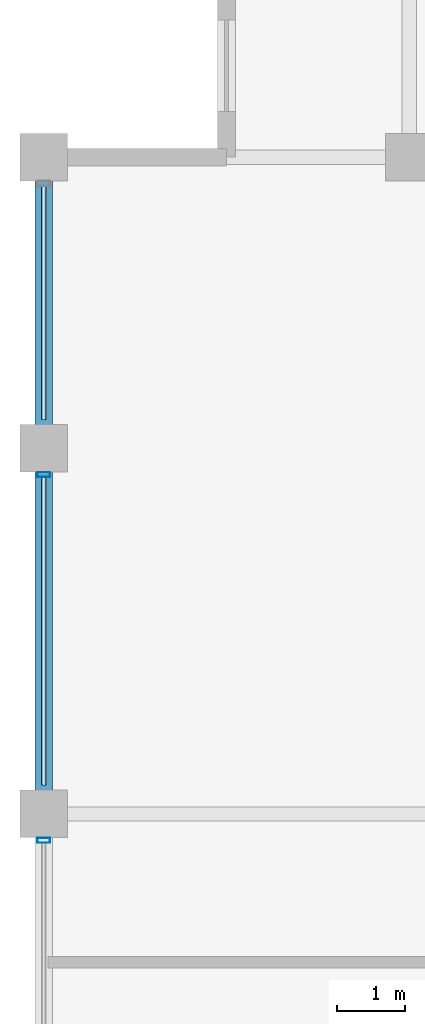
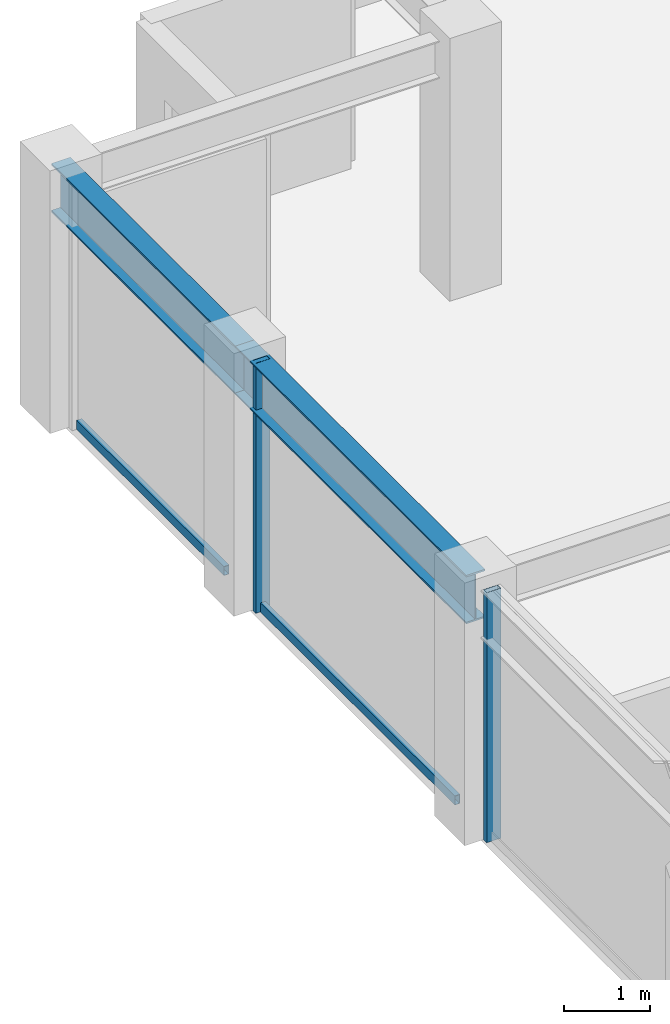
# One storey, part 14 of 30: 4 members, 2 beams, 1 element without a shape of its own.
"""IFC4 building model written with IfcOpenShell, lengths in metres."""

from ifc_helpers import new_model, si_unit, direction, frame, origin, origin_2d, place, context, subcontext, project, spatial, hollow_rectangle, i_section, extrude, material, layer, layer_set, material_profile, profile_set, type_object, element, aggregate, save


model = new_model("IFC4")

# Units and contexts
model_context = context("Model", 3, precision=1e-05, world=origin(), true_north=direction((0.0, 1.0)))
body_context = subcontext(model_context, "Body", "Model", "MODEL_VIEW")
ifc_project = project(units=[si_unit("LENGTHUNIT", "METRE"), si_unit("AREAUNIT", "SQUARE_METRE"), si_unit("VOLUMEUNIT", "CUBIC_METRE"), si_unit("PLANEANGLEUNIT", "RADIAN"), si_unit("MASSUNIT", "GRAM", prefix="KILO")], contexts=[model_context])

# Site, building, storey
site_placement = place(None, origin())
site = spatial("IfcSite", under=ifc_project, at=site_placement, CompositionType="ELEMENT")
building_placement = place(site_placement, origin())
building = spatial("IfcBuilding", under=site, at=building_placement, Name="Surkhivell Harbour Commons", CompositionType="ELEMENT")
storey_placement = place(building_placement, frame((0.0, 0.0, 296.25)))
storey = spatial("IfcBuildingStorey", under=building, at=storey_placement, Name="L77", CompositionType="ELEMENT", Elevation=296.25)

# Beams
ifc_material_1 = material(Name="Steel S355", Category="steel")
ifc_material_profile_1 = material_profile(ifc_material_1, i_section(OverallWidth=0.256103515625, OverallDepth=0.693115234375, WebThickness=0.014404296875, FlangeThickness=0.023681640625, at=origin_2d()), Name="UB686x254x170")
ifc_profile_set_1 = profile_set([ifc_material_profile_1], Name="Steel S355")
beam_type = type_object("IfcBeamType", Name="BM-SPN-686", PredefinedType="SPANDREL", material=ifc_profile_set_1)
beam_1_placement = place(storey_placement, frame((-27.0, 10.800048828125, 3.223388671875), z_axis=(0.0, 1.0, 0.0), x_axis=(-1.0, 0.0, 0.0)))
element("IfcBeam", 1, at=beam_1_placement, inside=storey, type_object=beam_type, Name="L77 Tube Spandrel (-27.0,10.8)", PredefinedType="SPANDREL", context=body_context, shape_type="SweptSolid", body=[
    extrude(i_section(OverallWidth=0.256103515625, OverallDepth=0.693115234375, WebThickness=0.014404296875, FlangeThickness=0.023681640625, at=origin_2d()), origin(), (0.0, 0.0, 1.0), 5.39990234375),
])
beam_2_placement = place(storey_placement, frame((-27.0, 16.199951171875, 3.223388671875), z_axis=(0.0, 1.0, 0.0), x_axis=(-1.0, 0.0, 0.0)))
element("IfcBeam", 2, at=beam_2_placement, inside=storey, type_object=beam_type, Name="L77 Tube Spandrel (-27.0,16.2)", PredefinedType="SPANDREL", context=body_context, shape_type="SweptSolid", body=[
    extrude(i_section(OverallWidth=0.256103515625, OverallDepth=0.693115234375, WebThickness=0.014404296875, FlangeThickness=0.023681640625, at=origin_2d()), origin(), (0.0, 0.0, 1.0), 4.300048828125),
])

# Curtain wall, members
ifc_material_2 = material(Name="Anodised pale-metal aluminium and insulated glazing", Category="aluminium")
ifc_layer = layer(ifc_material_2, 0.175048828125)
ifc_layer_set = layer_set([ifc_layer], Name="Anodised pale-metal aluminium and insulated glazing")
curtain_wall_type = type_object("IfcCurtainWallType", Name="CW-SYS-Z4", PredefinedType="NOTDEFINED", material=ifc_layer_set)
curtain_wall_placement = place(storey_placement, origin())
curtain_wall = element("IfcCurtainWall", 3, at=curtain_wall_placement, inside=storey, type_object=curtain_wall_type, Name="L77 Curtain Wall CW-L77-E12S1", PredefinedType="NOTDEFINED")
ifc_material_3 = material(Name="Anodised pale-metal aluminium alloy 6063-T6", Category="aluminium")
ifc_material_profile_2 = material_profile(ifc_material_3, hollow_rectangle(XDim=0.074951171875, YDim=0.18994140625, WallThickness=0.00390625, at=origin_2d()), Name="ALU-MULL-75x190")
ifc_profile_set_2 = profile_set([ifc_material_profile_2], Name="Anodised pale-metal aluminium alloy 6063-T6")
member_type_1 = type_object("IfcMemberType", Name="CWM-190", PredefinedType="MULLION", material=ifc_profile_set_2)
member_1_placement = place(storey_placement, frame((-27.0, 15.810546875, 0.0), z_axis=(0.0, 0.0, 1.0), x_axis=(0.0, -1.0, 0.0)))
member_1 = element("IfcMember", 4, at=member_1_placement, type_object=member_type_1, Name="CW-Z4 mullion 2", PredefinedType="MULLION", context=body_context, shape_type="SweptSolid", body=[
    extrude(hollow_rectangle(XDim=0.074951171875, YDim=0.18994140625, WallThickness=0.00390625, at=origin_2d()), origin(), (0.0, 0.0, 1.0), 3.570068359375),
])
member_2_placement = place(storey_placement, frame((-27.0, 10.410400390625, 0.0), z_axis=(0.0, 0.0, 1.0), x_axis=(0.0, -1.0, 0.0)))
member_2 = element("IfcMember", 5, at=member_2_placement, type_object=member_type_1, Name="CW-Z4 mullion 3", PredefinedType="MULLION", context=body_context, shape_type="SweptSolid", body=[
    extrude(hollow_rectangle(XDim=0.074951171875, YDim=0.18994140625, WallThickness=0.00390625, at=origin_2d()), origin(), (0.0, 0.0, 1.0), 3.570068359375),
])
ifc_material_4 = material(Name="Champagne anodised aluminium alloy 6063-T6", Category="aluminium")
ifc_material_profile_3 = material_profile(ifc_material_4, hollow_rectangle(XDim=0.070068359375, YDim=0.1298828125, WallThickness=0.00341796875, at=origin_2d()), Name="ALU-TRAN-70x130")
ifc_profile_set_3 = profile_set([ifc_material_profile_3], Name="Champagne anodised aluminium alloy 6063-T6")
member_type_2 = type_object("IfcMemberType", Name="CWT-130", PredefinedType="USERDEFINED", material=ifc_profile_set_3)
member_3_placement = place(storey_placement, frame((-27.0, 20.072998046875, 0.06494140625), z_axis=(0.0, -1.0, 0.0), x_axis=(1.0, 0.0, 0.0)))
member_3 = element("IfcMember", 6, at=member_3_placement, type_object=member_type_2, Name="CW-Z4 transom 1.1", ObjectType="TRANSOM", PredefinedType="USERDEFINED", context=body_context, shape_type="SweptSolid", body=[
    extrude(hollow_rectangle(XDim=0.070068359375, YDim=0.1298828125, WallThickness=0.00341796875, at=origin_2d()), origin(), (0.0, 0.0, 1.0), 3.446044921875),
])
member_4_placement = place(storey_placement, frame((-27.0, 15.77294921875, 0.06494140625), z_axis=(0.0, -1.0, 0.0), x_axis=(1.0, 0.0, 0.0)))
member_4 = element("IfcMember", 7, at=member_4_placement, type_object=member_type_2, Name="CW-Z4 transom 2.1", ObjectType="TRANSOM", PredefinedType="USERDEFINED", context=body_context, shape_type="SweptSolid", body=[
    extrude(hollow_rectangle(XDim=0.070068359375, YDim=0.1298828125, WallThickness=0.00341796875, at=origin_2d()), origin(), (0.0, 0.0, 1.0), 4.5458984375),
])
aggregate(curtain_wall, [member_3, member_1, member_4, member_2])

save(model, "model.ifc")
